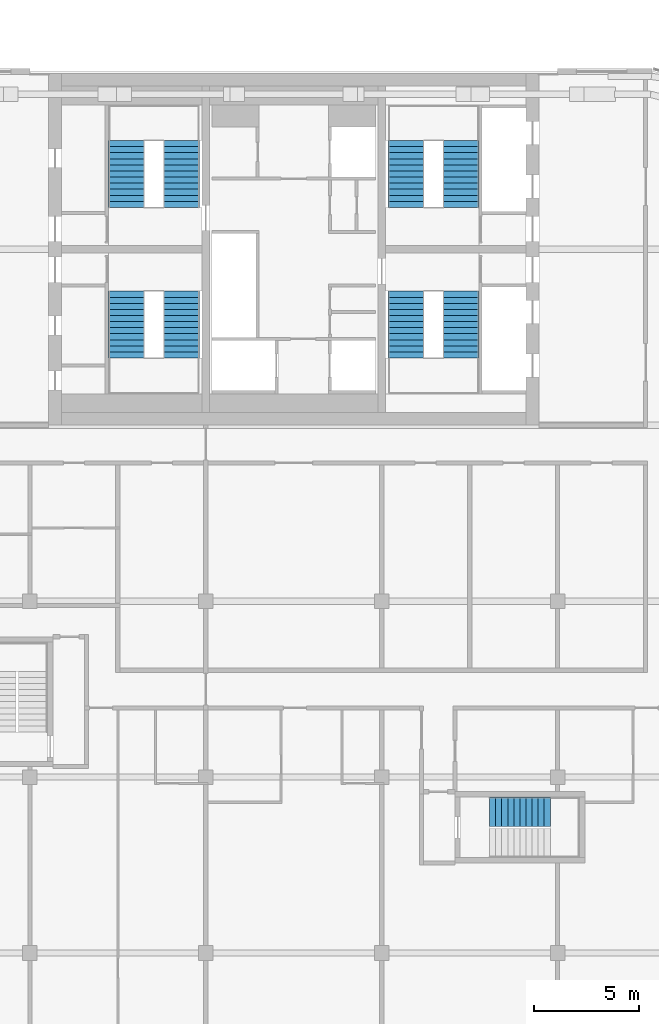
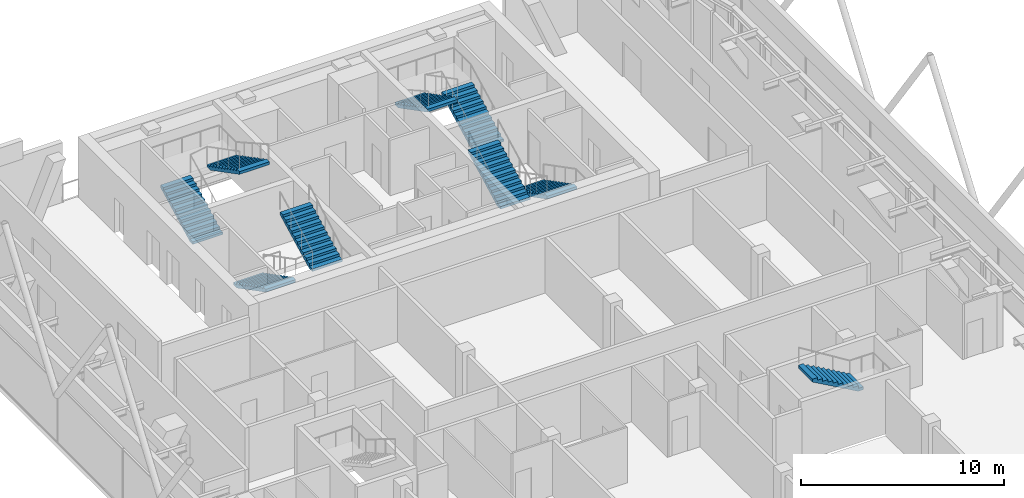
# One storey, part 24 of 25: 9 stair flights, 5 elements without a shape of their own.
"""IFC4 building model written with IfcOpenShell, lengths in metres."""

from ifc_helpers import new_model, si_unit, direction, frame, origin, place, context, subcontext, project, spatial, polyline, outline, extrude, material, type_object, element, aggregate, save


model = new_model("IFC4")

# Units and contexts
model_context = context("Model", 3, precision=1e-05, world=origin(), true_north=direction((0.0, 1.0)))
body_context = subcontext(model_context, "Body", "Model", "MODEL_VIEW")
ifc_project = project(units=[si_unit("LENGTHUNIT", "METRE"), si_unit("AREAUNIT", "SQUARE_METRE"), si_unit("VOLUMEUNIT", "CUBIC_METRE"), si_unit("PLANEANGLEUNIT", "RADIAN"), si_unit("MASSUNIT", "GRAM", prefix="KILO")], contexts=[model_context])

# Site, building, storey
site_placement = place(None, origin())
site = spatial("IfcSite", under=ifc_project, at=site_placement, CompositionType="ELEMENT")
building_placement = place(site_placement, origin())
building = spatial("IfcBuilding", under=site, at=building_placement, Name="Marenta Gate Hotel Tower", CompositionType="ELEMENT")
storey_placement = place(building_placement, frame((0.0, 0.0, 277.699951171875)))
storey = spatial("IfcBuildingStorey", under=building, at=storey_placement, Name="L64", CompositionType="ELEMENT", Elevation=277.699951171875)

# Stair, stair flights
ifc_material_1 = material(Name="Concrete C40", Category="concrete")
stair_type_1 = type_object("IfcStairType", Name="Core exit stair 1700 wide", PredefinedType="HALF_TURN_STAIR", material=ifc_material_1)
stair_1_placement = place(storey_placement, origin())
stair_1 = element("IfcStair", 1, at=stair_1_placement, inside=storey, type_object=stair_type_1, Name="Exit stair 1", PredefinedType="HALF_TURN_STAIR")
ifc_material_2 = material(Name="Concrete C40", Category="concrete")
stair_flight_type_1 = type_object("IfcStairFlightType", Name="Core stair flight 1700 riser 150.0 going 290", PredefinedType="STRAIGHT", material=ifc_material_2)
stair_flight_1_placement = place(storey_placement, frame((-8.0, 6.39990234375, 0.0), z_axis=(0.0, 0.0, 1.0), x_axis=(0.0, -1.0, 0.0)))
stair_flight_1 = element("IfcStairFlight", 2, at=stair_flight_1_placement, type_object=stair_flight_type_1, Name="ST1 flight 1", NumberOfRisers=12, NumberOfTreads=11, PredefinedType="STRAIGHT", RiserHeight=0.15, TreadLength=0.29, context=body_context, shape_type="SweptSolid", body=[
    extrude(outline(polyline([(0.0, 0.0), (0.0, 0.14990234375), (0.2900390625, 0.14990234375), (0.2900390625, 0.300048828125), (0.580078125, 0.300048828125), (0.580078125, 0.449951171875), (0.8701171875, 0.449951171875), (0.8701171875, 0.60009765625), (1.159912109375, 0.60009765625), (1.159912109375, 0.75), (1.449951171875, 0.75), (1.449951171875, 0.89990234375), (1.739990234375, 0.89990234375), (1.739990234375, 1.050048828125), (2.030029296875, 1.050048828125), (2.030029296875, 1.199951171875), (2.320068359375, 1.199951171875), (2.320068359375, 1.35009765625), (2.610107421875, 1.35009765625), (2.610107421875, 1.5), (2.89990234375, 1.5), (2.89990234375, 1.64990234375), (3.18994140625, 1.64990234375), (3.18994140625, 1.800048828125), (3.18994140625, 1.481201171875), (0.326171875, 0.0), (0.0, 0.0)])), frame((0.0, 0.85009765625, 0.0), z_axis=(0.0, -1.0, 0.0), x_axis=(1.0, 0.0, 0.0)), (0.0, 0.0, 1.0), 1.699951171875),
])
stair_flight_2_placement = place(storey_placement, frame((-5.35009765625, 3.2099609375, 1.800048828125), z_axis=(0.0, 0.0, 1.0), x_axis=(0.0, 1.0, 0.0)))
stair_flight_2 = element("IfcStairFlight", 3, at=stair_flight_2_placement, type_object=stair_flight_type_1, Name="ST1 flight 2", NumberOfRisers=12, NumberOfTreads=11, PredefinedType="STRAIGHT", RiserHeight=0.15, TreadLength=0.29, context=body_context, shape_type="SweptSolid", body=[
    extrude(outline(polyline([(0.0, 0.0), (0.0, 0.14990234375), (0.2900390625, 0.14990234375), (0.2900390625, 0.300048828125), (0.580078125, 0.300048828125), (0.580078125, 0.449951171875), (0.8701171875, 0.449951171875), (0.8701171875, 0.60009765625), (1.159912109375, 0.60009765625), (1.159912109375, 0.75), (1.449951171875, 0.75), (1.449951171875, 0.89990234375), (1.739990234375, 0.89990234375), (1.739990234375, 1.050048828125), (2.030029296875, 1.050048828125), (2.030029296875, 1.199951171875), (2.320068359375, 1.199951171875), (2.320068359375, 1.35009765625), (2.610107421875, 1.35009765625), (2.610107421875, 1.5), (2.89990234375, 1.5), (2.89990234375, 1.64990234375), (3.18994140625, 1.64990234375), (3.18994140625, 1.800048828125), (3.18994140625, 1.481201171875), (0.326171875, 0.0), (0.0, 0.0)])), frame((0.0, 0.85009765625, 0.0), z_axis=(0.0, -1.0, 0.0), x_axis=(1.0, 0.0, 0.0)), (0.0, 0.0, 1.0), 1.699951171875),
])
aggregate(stair_1, [stair_flight_1, stair_flight_2])

stair_2_placement = place(storey_placement, origin())
stair_2 = element("IfcStair", 4, at=stair_2_placement, inside=storey, type_object=stair_type_1, Name="Exit stair 2", PredefinedType="HALF_TURN_STAIR")
stair_flight_3_placement = place(storey_placement, frame((-8.0, 10.39990234375, 0.0), z_axis=(0.0, 0.0, 1.0), x_axis=(0.0, 1.0, 0.0)))
stair_flight_3 = element("IfcStairFlight", 5, at=stair_flight_3_placement, type_object=stair_flight_type_1, Name="ST2 flight 1", NumberOfRisers=12, NumberOfTreads=11, PredefinedType="STRAIGHT", RiserHeight=0.15, TreadLength=0.29, context=body_context, shape_type="SweptSolid", body=[
    extrude(outline(polyline([(0.0, 0.0), (0.0, 0.14990234375), (0.2900390625, 0.14990234375), (0.2900390625, 0.300048828125), (0.580078125, 0.300048828125), (0.580078125, 0.449951171875), (0.8701171875, 0.449951171875), (0.8701171875, 0.60009765625), (1.159912109375, 0.60009765625), (1.159912109375, 0.75), (1.449951171875, 0.75), (1.449951171875, 0.89990234375), (1.739990234375, 0.89990234375), (1.739990234375, 1.050048828125), (2.030029296875, 1.050048828125), (2.030029296875, 1.199951171875), (2.320068359375, 1.199951171875), (2.320068359375, 1.35009765625), (2.610107421875, 1.35009765625), (2.610107421875, 1.5), (2.89990234375, 1.5), (2.89990234375, 1.64990234375), (3.18994140625, 1.64990234375), (3.18994140625, 1.800048828125), (3.18994140625, 1.481201171875), (0.326171875, 0.0), (0.0, 0.0)])), frame((0.0, 0.85009765625, 0.0), z_axis=(0.0, -1.0, 0.0), x_axis=(1.0, 0.0, 0.0)), (0.0, 0.0, 1.0), 1.699951171875),
])
stair_flight_4_placement = place(storey_placement, frame((-5.35009765625, 13.590087890625, 1.800048828125), z_axis=(0.0, 0.0, 1.0), x_axis=(0.0, -1.0, 0.0)))
stair_flight_4 = element("IfcStairFlight", 6, at=stair_flight_4_placement, type_object=stair_flight_type_1, Name="ST2 flight 2", NumberOfRisers=12, NumberOfTreads=11, PredefinedType="STRAIGHT", RiserHeight=0.15, TreadLength=0.29, context=body_context, shape_type="SweptSolid", body=[
    extrude(outline(polyline([(0.0, 0.0), (0.0, 0.14990234375), (0.2900390625, 0.14990234375), (0.2900390625, 0.300048828125), (0.580078125, 0.300048828125), (0.580078125, 0.449951171875), (0.8701171875, 0.449951171875), (0.8701171875, 0.60009765625), (1.159912109375, 0.60009765625), (1.159912109375, 0.75), (1.449951171875, 0.75), (1.449951171875, 0.89990234375), (1.739990234375, 0.89990234375), (1.739990234375, 1.050048828125), (2.030029296875, 1.050048828125), (2.030029296875, 1.199951171875), (2.320068359375, 1.199951171875), (2.320068359375, 1.35009765625), (2.610107421875, 1.35009765625), (2.610107421875, 1.5), (2.89990234375, 1.5), (2.89990234375, 1.64990234375), (3.18994140625, 1.64990234375), (3.18994140625, 1.800048828125), (3.18994140625, 1.481201171875), (0.326171875, 0.0), (0.0, 0.0)])), frame((0.0, 0.85009765625, 0.0), z_axis=(0.0, -1.0, 0.0), x_axis=(1.0, 0.0, 0.0)), (0.0, 0.0, 1.0), 1.699951171875),
])
aggregate(stair_2, [stair_flight_3, stair_flight_4])

stair_3_placement = place(storey_placement, origin())
stair_3 = element("IfcStair", 7, at=stair_3_placement, inside=storey, type_object=stair_type_1, Name="Exit stair 3", PredefinedType="HALF_TURN_STAIR")
stair_flight_5_placement = place(storey_placement, frame((8.0, 6.39990234375, 0.0), z_axis=(0.0, 0.0, 1.0), x_axis=(0.0, -1.0, 0.0)))
stair_flight_5 = element("IfcStairFlight", 8, at=stair_flight_5_placement, type_object=stair_flight_type_1, Name="ST3 flight 1", NumberOfRisers=12, NumberOfTreads=11, PredefinedType="STRAIGHT", RiserHeight=0.15, TreadLength=0.29, context=body_context, shape_type="SweptSolid", body=[
    extrude(outline(polyline([(0.0, 0.0), (0.0, 0.14990234375), (0.2900390625, 0.14990234375), (0.2900390625, 0.300048828125), (0.580078125, 0.300048828125), (0.580078125, 0.449951171875), (0.8701171875, 0.449951171875), (0.8701171875, 0.60009765625), (1.159912109375, 0.60009765625), (1.159912109375, 0.75), (1.449951171875, 0.75), (1.449951171875, 0.89990234375), (1.739990234375, 0.89990234375), (1.739990234375, 1.050048828125), (2.030029296875, 1.050048828125), (2.030029296875, 1.199951171875), (2.320068359375, 1.199951171875), (2.320068359375, 1.35009765625), (2.610107421875, 1.35009765625), (2.610107421875, 1.5), (2.89990234375, 1.5), (2.89990234375, 1.64990234375), (3.18994140625, 1.64990234375), (3.18994140625, 1.800048828125), (3.18994140625, 1.481201171875), (0.326171875, 0.0), (0.0, 0.0)])), frame((0.0, 0.85009765625, 0.0), z_axis=(0.0, -1.0, 0.0), x_axis=(1.0, 0.0, 0.0)), (0.0, 0.0, 1.0), 1.699951171875),
])
stair_flight_6_placement = place(storey_placement, frame((5.35009765625, 3.2099609375, 1.800048828125), z_axis=(0.0, 0.0, 1.0), x_axis=(0.0, 1.0, 0.0)))
stair_flight_6 = element("IfcStairFlight", 9, at=stair_flight_6_placement, type_object=stair_flight_type_1, Name="ST3 flight 2", NumberOfRisers=12, NumberOfTreads=11, PredefinedType="STRAIGHT", RiserHeight=0.15, TreadLength=0.29, context=body_context, shape_type="SweptSolid", body=[
    extrude(outline(polyline([(0.0, 0.0), (0.0, 0.14990234375), (0.2900390625, 0.14990234375), (0.2900390625, 0.300048828125), (0.580078125, 0.300048828125), (0.580078125, 0.449951171875), (0.8701171875, 0.449951171875), (0.8701171875, 0.60009765625), (1.159912109375, 0.60009765625), (1.159912109375, 0.75), (1.449951171875, 0.75), (1.449951171875, 0.89990234375), (1.739990234375, 0.89990234375), (1.739990234375, 1.050048828125), (2.030029296875, 1.050048828125), (2.030029296875, 1.199951171875), (2.320068359375, 1.199951171875), (2.320068359375, 1.35009765625), (2.610107421875, 1.35009765625), (2.610107421875, 1.5), (2.89990234375, 1.5), (2.89990234375, 1.64990234375), (3.18994140625, 1.64990234375), (3.18994140625, 1.800048828125), (3.18994140625, 1.481201171875), (0.326171875, 0.0), (0.0, 0.0)])), frame((0.0, 0.85009765625, 0.0), z_axis=(0.0, -1.0, 0.0), x_axis=(1.0, 0.0, 0.0)), (0.0, 0.0, 1.0), 1.699951171875),
])
aggregate(stair_3, [stair_flight_5, stair_flight_6])

stair_4_placement = place(storey_placement, origin())
stair_4 = element("IfcStair", 10, at=stair_4_placement, inside=storey, type_object=stair_type_1, Name="Exit stair 4", PredefinedType="HALF_TURN_STAIR")
stair_flight_7_placement = place(storey_placement, frame((8.0, 10.39990234375, 0.0), z_axis=(0.0, 0.0, 1.0), x_axis=(0.0, 1.0, 0.0)))
stair_flight_7 = element("IfcStairFlight", 11, at=stair_flight_7_placement, type_object=stair_flight_type_1, Name="ST4 flight 1", NumberOfRisers=12, NumberOfTreads=11, PredefinedType="STRAIGHT", RiserHeight=0.15, TreadLength=0.29, context=body_context, shape_type="SweptSolid", body=[
    extrude(outline(polyline([(0.0, 0.0), (0.0, 0.14990234375), (0.2900390625, 0.14990234375), (0.2900390625, 0.300048828125), (0.580078125, 0.300048828125), (0.580078125, 0.449951171875), (0.8701171875, 0.449951171875), (0.8701171875, 0.60009765625), (1.159912109375, 0.60009765625), (1.159912109375, 0.75), (1.449951171875, 0.75), (1.449951171875, 0.89990234375), (1.739990234375, 0.89990234375), (1.739990234375, 1.050048828125), (2.030029296875, 1.050048828125), (2.030029296875, 1.199951171875), (2.320068359375, 1.199951171875), (2.320068359375, 1.35009765625), (2.610107421875, 1.35009765625), (2.610107421875, 1.5), (2.89990234375, 1.5), (2.89990234375, 1.64990234375), (3.18994140625, 1.64990234375), (3.18994140625, 1.800048828125), (3.18994140625, 1.481201171875), (0.326171875, 0.0), (0.0, 0.0)])), frame((0.0, 0.85009765625, 0.0), z_axis=(0.0, -1.0, 0.0), x_axis=(1.0, 0.0, 0.0)), (0.0, 0.0, 1.0), 1.699951171875),
])
stair_flight_8_placement = place(storey_placement, frame((5.35009765625, 13.590087890625, 1.800048828125), z_axis=(0.0, 0.0, 1.0), x_axis=(0.0, -1.0, 0.0)))
stair_flight_8 = element("IfcStairFlight", 12, at=stair_flight_8_placement, type_object=stair_flight_type_1, Name="ST4 flight 2", NumberOfRisers=12, NumberOfTreads=11, PredefinedType="STRAIGHT", RiserHeight=0.15, TreadLength=0.29, context=body_context, shape_type="SweptSolid", body=[
    extrude(outline(polyline([(0.0, 0.0), (0.0, 0.14990234375), (0.2900390625, 0.14990234375), (0.2900390625, 0.300048828125), (0.580078125, 0.300048828125), (0.580078125, 0.449951171875), (0.8701171875, 0.449951171875), (0.8701171875, 0.60009765625), (1.159912109375, 0.60009765625), (1.159912109375, 0.75), (1.449951171875, 0.75), (1.449951171875, 0.89990234375), (1.739990234375, 0.89990234375), (1.739990234375, 1.050048828125), (2.030029296875, 1.050048828125), (2.030029296875, 1.199951171875), (2.320068359375, 1.199951171875), (2.320068359375, 1.35009765625), (2.610107421875, 1.35009765625), (2.610107421875, 1.5), (2.89990234375, 1.5), (2.89990234375, 1.64990234375), (3.18994140625, 1.64990234375), (3.18994140625, 1.800048828125), (3.18994140625, 1.481201171875), (0.326171875, 0.0), (0.0, 0.0)])), frame((0.0, 0.85009765625, 0.0), z_axis=(0.0, -1.0, 0.0), x_axis=(1.0, 0.0, 0.0)), (0.0, 0.0, 1.0), 1.699951171875),
])
aggregate(stair_4, [stair_flight_7, stair_flight_8])

# Stair, stair flight
ifc_material_3 = material(Name="Concrete C40", Category="concrete")
stair_type_2 = type_object("IfcStairType", Name="Remote exit stair 1400 wide", PredefinedType="HALF_TURN_STAIR", material=ifc_material_3)
stair_5_placement = place(storey_placement, origin())
stair_5 = element("IfcStair", 13, at=stair_5_placement, inside=storey, type_object=stair_type_2, Name="Exit stair RS-Z4-1", PredefinedType="HALF_TURN_STAIR")
ifc_material_4 = material(Name="Concrete C40", Category="concrete")
stair_flight_type_2 = type_object("IfcStairFlightType", Name="Remote stair flight 1400 riser 163.6 going 290", PredefinedType="STRAIGHT", material=ifc_material_4)
stair_flight_9_placement = place(storey_placement, frame((12.25, -18.449951171875, 1.800048828125), z_axis=(0.0, 0.0, 1.0), x_axis=(-1.0, 0.0, 0.0)))
stair_flight_9 = element("IfcStairFlight", 14, at=stair_flight_9_placement, type_object=stair_flight_type_2, Name="RS-Z4-1 flight 2", NumberOfRisers=11, NumberOfTreads=10, PredefinedType="STRAIGHT", RiserHeight=0.163636, TreadLength=0.29, context=body_context, shape_type="SweptSolid", body=[
    extrude(outline(polyline([(0.0, 0.0), (0.0, 0.16357421875), (0.2900390625, 0.16357421875), (0.2900390625, 0.327392578125), (0.580078125, 0.327392578125), (0.580078125, 0.490966796875), (0.8701171875, 0.490966796875), (0.8701171875, 0.654541015625), (1.159912109375, 0.654541015625), (1.159912109375, 0.818115234375), (1.449951171875, 0.818115234375), (1.449951171875, 0.98193359375), (1.739990234375, 0.98193359375), (1.739990234375, 1.1455078125), (2.030029296875, 1.1455078125), (2.030029296875, 1.30908203125), (2.320068359375, 1.30908203125), (2.320068359375, 1.47265625), (2.610107421875, 1.47265625), (2.610107421875, 1.636474609375), (2.89990234375, 1.636474609375), (2.89990234375, 1.800048828125), (2.89990234375, 1.46435546875), (0.304931640625, 0.0), (0.0, 0.0)])), frame((0.0, 0.699951171875, 0.0), z_axis=(0.0, -1.0, 0.0), x_axis=(1.0, 0.0, 0.0)), (0.0, 0.0, 1.0), 1.39990234375),
])
aggregate(stair_5, [stair_flight_9])

save(model, "model.ifc")
